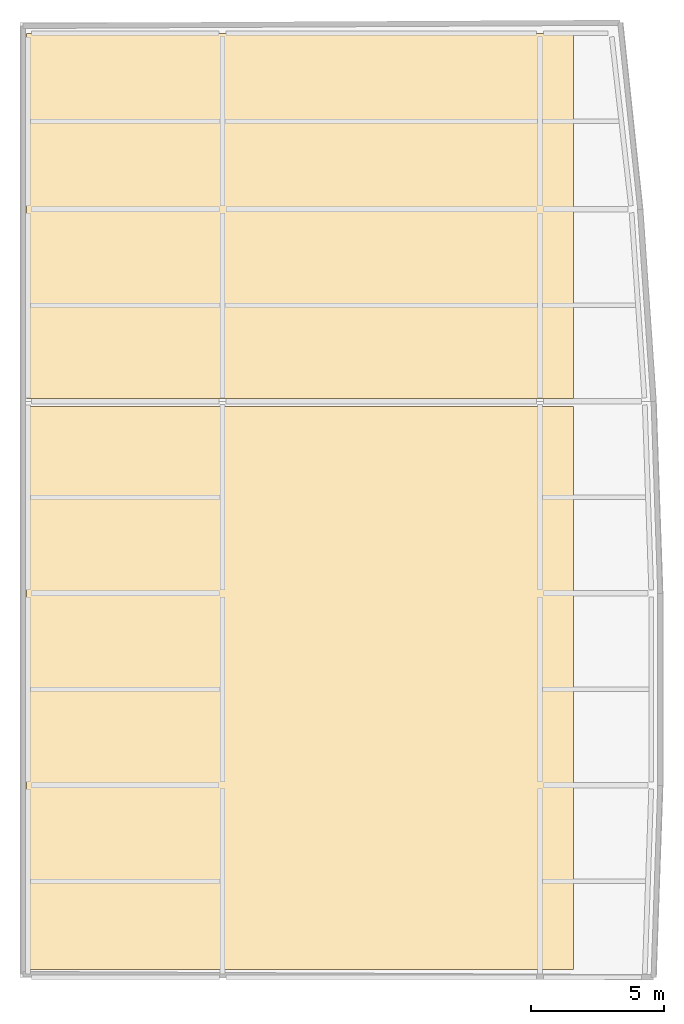
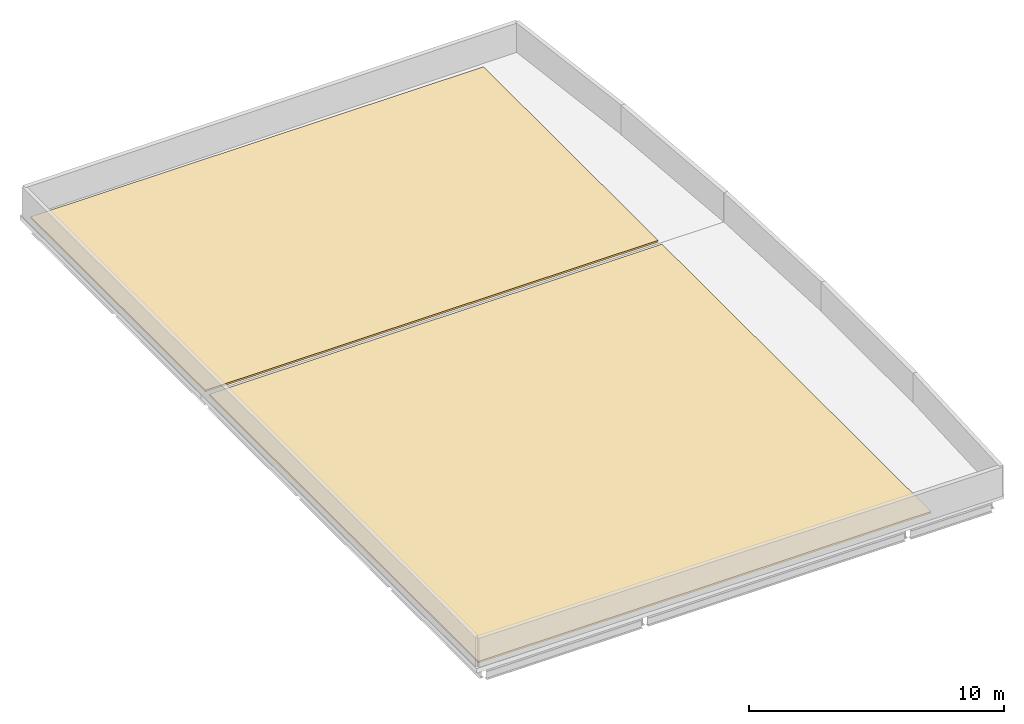
# One storey, part 2 of 2: 2 coverings.
"""IFC4 building model written with IfcOpenShell, lengths in metres."""

from ifc_helpers import new_model, si_unit, direction, frame, origin, place, context, subcontext, project, spatial, polyline, outline, extrude, material, layer, layer_set, type_object, element, save


model = new_model("IFC4")

# Units and contexts
model_context = context("Model", 3, precision=1e-05, world=origin(), true_north=direction((0.0, 1.0)))
body_context = subcontext(model_context, "Body", "Model", "MODEL_VIEW")
ifc_project = project(units=[si_unit("LENGTHUNIT", "METRE"), si_unit("AREAUNIT", "SQUARE_METRE"), si_unit("VOLUMEUNIT", "CUBIC_METRE"), si_unit("PLANEANGLEUNIT", "RADIAN"), si_unit("MASSUNIT", "GRAM", prefix="KILO")], contexts=[model_context])

# Site, building, storey
site_placement = place(None, origin())
site = spatial("IfcSite", under=ifc_project, at=site_placement, CompositionType="ELEMENT")
building_placement = place(site_placement, origin())
building = spatial("IfcBuilding", under=site, at=building_placement, Name="Quillay Park Conservatory", CompositionType="ELEMENT")
storey_placement = place(building_placement, frame((0.0, 0.0, 68.699951171875)))
storey = spatial("IfcBuildingStorey", under=building, at=storey_placement, Name="RF", CompositionType="ELEMENT", Elevation=68.699951171875)

# Coverings
ifc_material = material(Name="Insulated TPO & Extensive Vegetated Roof Assembly")
ifc_layer = layer(ifc_material, 0.080078125)
ifc_layer_set = layer_set([ifc_layer], Name="INSULATED ROOFING MEMBRANE 80 (Insulated TPO & Extensive Vegetated Roof Assembly)")
covering_type = type_object("IfcCoveringType", Name="INSULATED ROOFING MEMBRANE 80", PredefinedType="ROOFING", material=ifc_layer_set)
covering_1_placement = place(storey_placement, origin())
element("IfcCovering", 1, at=covering_1_placement, inside=storey, type_object=covering_type, Name="RF Roof Assembly Covering 01", PredefinedType="ROOFING", context=body_context, shape_type="SweptSolid", body=[
    extrude(outline(polyline([(0.5, 78.300048828125), (21.0, 78.300048828125), (21.0, 99.39990234375), (0.5, 99.39990234375), (0.5, 78.300048828125)])), origin(), (0.0, 0.0, 1.0), 0.080078125),
])
covering_2_placement = place(storey_placement, origin())
element("IfcCovering", 2, at=covering_2_placement, inside=storey, type_object=covering_type, Name="RF Roof Assembly Covering 02", PredefinedType="ROOFING", context=body_context, shape_type="SweptSolid", body=[
    extrude(outline(polyline([(0.5, 99.699951171875), (21.0, 99.699951171875), (21.0, 113.39990234375), (0.5, 113.39990234375), (0.5, 99.699951171875)])), origin(), (0.0, 0.0, 1.0), 0.080078125),
])

save(model, "model.ifc")
